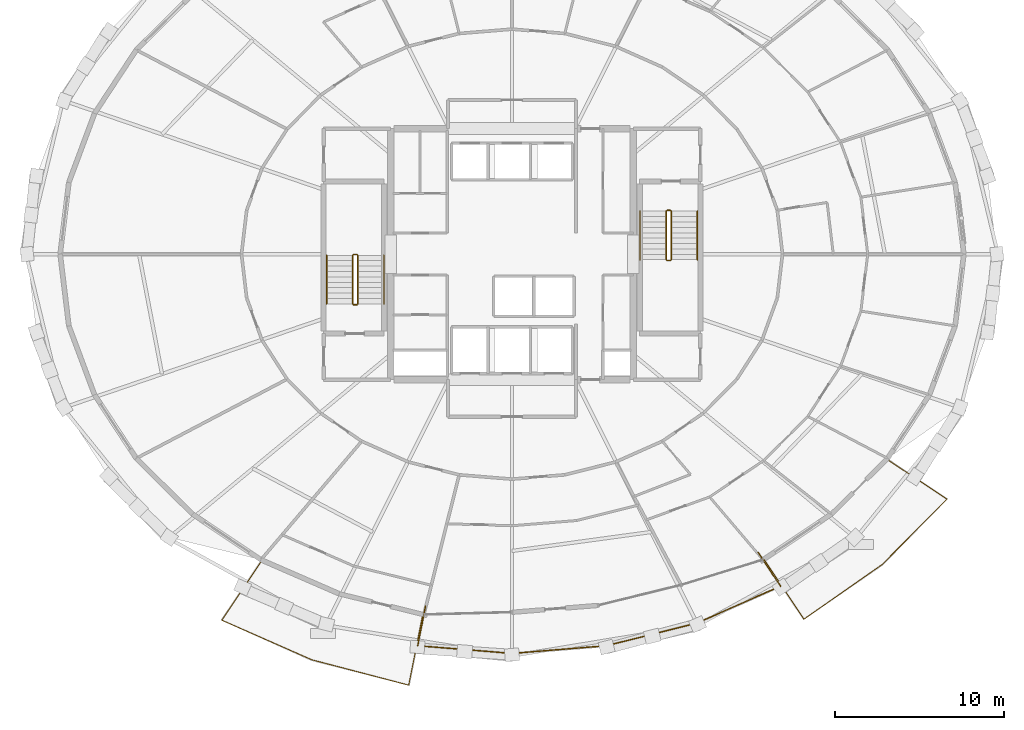
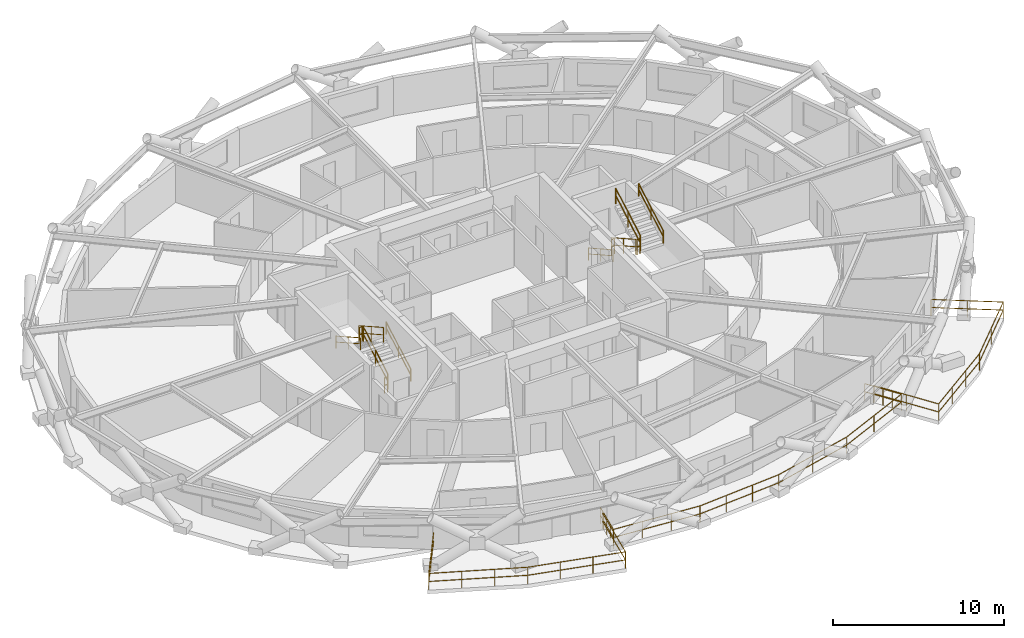
# One storey, part 13 of 14: 17 railings.
"""IFC4 building model written with IfcOpenShell, lengths in metres."""

import ifcopenshell
import ifcopenshell.guid

model = None  # the IFC model being written
_history = None  # IfcOwnerHistory: only IFC2X3 demands one
_inside = {}  # id of a spatial element -> (the spatial element, [elements in it])
_under = {}  # id of a project, library or spatial element -> (it, [spatial elements below it])
_declared = {}  # id of a project -> (the project, [libraries it declares])
_typed = {}  # id of a type object -> (the type object, [elements of that type])
_made_of = {}  # id of a material, layer set ... -> (it, [elements and type objects made of it])


def new_model(schema):
    """Start an empty IFC model of exactly this schema.

    Asked for "IFC4X3", IfcOpenShell would pick the latest addendum, in which some entities
    have other attributes; the version numbers below select the first issue.
    IFC2X3 requires an IfcOwnerHistory on every rooted entity: one is made here for all.
    """
    global model, _history
    if schema == "IFC4X3":
        model = ifcopenshell.file(schema_version=(4, 3, 0, 0))
    else:
        model = ifcopenshell.file(schema=schema)
    _inside.clear()
    _under.clear()
    _declared.clear()
    _typed.clear()
    _made_of.clear()
    _history = None
    if model.schema == "IFC2X3":
        org = make("IfcOrganization", Name="unknown")
        user = make(
            "IfcPersonAndOrganization",
            ThePerson=make("IfcPerson", FamilyName="unknown"),
            TheOrganization=org,
        )
        app = make(
            "IfcApplication",
            ApplicationDeveloper=org,
            Version="unknown",
            ApplicationFullName="unknown",
            ApplicationIdentifier="unknown",
        )
        _history = make(
            "IfcOwnerHistory",
            OwningUser=user,
            OwningApplication=app,
            ChangeAction="ADDED",
            CreationDate=0,
        )
    return model


def make(cls, **values):
    """One entity of the class cls with the attributes given. An attribute that is None is left unset."""
    return model.create_entity(
        cls, **{name: value for name, value in values.items() if value is not None}
    )


def rooted(cls, **values):
    """An entity with a GlobalId (a new one), such as an element, a storey or a relation."""
    return make(cls, GlobalId=ifcopenshell.guid.new(), OwnerHistory=_history, **values)


def si_unit(unit_type, name, prefix=None):
    """IfcSIUnit, for example si_unit("LENGTHUNIT", "METRE", prefix="MILLI")."""
    return make("IfcSIUnit", UnitType=unit_type, Prefix=prefix, Name=name)


def assignment(units):
    """IfcUnitAssignment: the units of a project."""
    return None if units is None else make("IfcUnitAssignment", Units=units)


def point(xyz):
    """IfcCartesianPoint."""
    return None if xyz is None else make("IfcCartesianPoint", Coordinates=xyz)


def direction(xyz):
    """IfcDirection."""
    return None if xyz is None else make("IfcDirection", DirectionRatios=xyz)


def frame(location, z_axis=None, x_axis=None):
    """IfcAxis2Placement3D, a coordinate frame: its origin and axes. An axis left out is left unset."""
    return make(
        "IfcAxis2Placement3D",
        Location=point(location),
        Axis=direction(z_axis),
        RefDirection=direction(x_axis),
    )


def frame_2d(location, x_axis=None):
    """IfcAxis2Placement2D, a coordinate frame in the plane: its origin and x axis."""
    return make(
        "IfcAxis2Placement2D", Location=point(location), RefDirection=direction(x_axis)
    )


def origin():
    """The frame at (0, 0, 0) with its axes left unset."""
    return frame((0.0, 0.0, 0.0))


def origin_2d():
    """The frame at (0, 0) in the plane with its x axis left unset."""
    return frame_2d((0.0, 0.0))


def place(relative_to, where):
    """IfcLocalPlacement: puts the frame where relative to a parent placement (None: the world)."""
    return make(
        "IfcLocalPlacement", PlacementRelTo=relative_to, RelativePlacement=where
    )


def context(
    kind, dimensions, precision=None, world=None, true_north=None, identifier=None
):
    """IfcGeometricRepresentationContext, for example the 3D "Model" context."""
    return make(
        "IfcGeometricRepresentationContext",
        ContextIdentifier=identifier,
        ContextType=kind,
        CoordinateSpaceDimension=dimensions,
        Precision=precision,
        WorldCoordinateSystem=world,
        TrueNorth=true_north,
    )


def subcontext(parent, identifier, kind, view, scale=None):
    """IfcGeometricRepresentationSubContext, for example "Body" below "Model"."""
    return make(
        "IfcGeometricRepresentationSubContext",
        ContextIdentifier=identifier,
        ContextType=kind,
        ParentContext=parent,
        TargetScale=scale,
        TargetView=view,
    )


def project(units=None, contexts=None):
    """IfcProject with its units and contexts."""
    return rooted(
        "IfcProject",
        Name="project",
        RepresentationContexts=contexts,
        UnitsInContext=assignment(units),
    )


def spatial(cls, under=None, at=None, **own):
    """A site, building, storey or space (cls), placed at a placement, below another one or the project."""
    s = rooted(cls, ObjectPlacement=at, **own)
    if under is not None:
        _under.setdefault(under.id(), (under, []))[1].append(s)
    return s


def profile(cls, at=None, kind="AREA", **sizes):
    """A parametric profile (cls). Its sizes go by their IFC names, for example OverallWidth=200.0."""
    return make(cls, ProfileType=kind, Position=at, **sizes)


def circle(**sizes):
    """IfcCircleProfileDef."""
    return profile("IfcCircleProfileDef", **sizes)


def extrude(swept, where, along, depth):
    """IfcExtrudedAreaSolid: the profile swept, set in the frame where, extruded along a direction by depth."""
    return make(
        "IfcExtrudedAreaSolid",
        SweptArea=swept,
        Position=where,
        ExtrudedDirection=direction(along),
        Depth=depth,
    )


def shape(context_of_items, identifier, shape_type, items):
    """IfcShapeRepresentation: the items that make up one representation, for example the "Body"."""
    return make(
        "IfcShapeRepresentation",
        ContextOfItems=context_of_items,
        RepresentationIdentifier=identifier,
        RepresentationType=shape_type,
        Items=items,
    )


def material(Name=None, Category=None):
    """IfcMaterial."""
    return make("IfcMaterial", Name=Name, Category=Category)


def made_of(thing, what):
    """Note that an element or type object is made of a material, layer set ...; save() writes the relation."""
    if what is not None:
        _made_of.setdefault(what.id(), (what, []))[1].append(thing)
    return thing


def type_object(cls, material=None, **own):
    """A type object (cls), such as IfcWallType, which elements share."""
    return made_of(rooted(cls, **own), material)


def element(
    cls,
    number,
    at=None,
    inside=None,
    cuts=None,
    type_object=None,
    material=None,
    context=None,
    identifier="Body",
    shape_type=None,
    held_by="IfcProductDefinitionShape",
    body=None,
    shapes=None,
    **own,
):
    """One element of the class cls, such as IfcWall. Its Tag is "e" and its number.

    at: its placement. inside: the storey or other place that contains it. cuts: it is an
    opening in that element (IfcRelVoidsElement). A single representation is given by context,
    identifier, shape_type and body (its items); several are given by shapes. held_by: the class
    of the entity that holds the representations. save() writes the other relations.
    """
    e = rooted(cls, Tag="e%d" % number, ObjectPlacement=at, **own)
    if body is not None:
        shapes = [shape(context, identifier, shape_type, body)]
    if shapes is not None:
        e.Representation = make(held_by, Representations=shapes)
    if inside is not None:
        _inside.setdefault(inside.id(), (inside, []))[1].append(e)
    if cuts is not None:
        rooted(
            "IfcRelVoidsElement", RelatingBuildingElement=cuts, RelatedOpeningElement=e
        )
    if type_object is not None:
        _typed.setdefault(type_object.id(), (type_object, []))[1].append(e)
    return made_of(e, material)


def aggregate(whole, parts):
    """IfcRelAggregates: a whole, such as a stair, and the parts it consists of."""
    return rooted("IfcRelAggregates", RelatingObject=whole, RelatedObjects=parts)


def save(model, path):
    """Write the relations noted so far, then the file.

    IfcRelAggregates (storeys below a building ...), IfcRelContainedInSpatialStructure (elements
    in a storey), IfcRelDefinesByType, IfcRelAssociatesMaterial and IfcRelDeclares: one each for
    every whole, place, type object, material and project.
    """
    for whole, parts in _under.values():
        aggregate(whole, parts)
    for where, things in _inside.values():
        rooted(
            "IfcRelContainedInSpatialStructure",
            RelatedElements=things,
            RelatingStructure=where,
        )
    for kind, things in _typed.values():
        rooted("IfcRelDefinesByType", RelatedObjects=things, RelatingType=kind)
    for what, things in _made_of.values():
        rooted("IfcRelAssociatesMaterial", RelatedObjects=things, RelatingMaterial=what)
    for by, libraries in _declared.values():
        rooted("IfcRelDeclares", RelatingContext=by, RelatedDefinitions=libraries)
    model.write(path)


model = new_model("IFC4")

# Units and contexts
model_context = context("Model", 3, precision=1e-05, world=origin(), true_north=direction((0.0, 1.0)))
body_context = subcontext(model_context, "Body", "Model", "MODEL_VIEW")
ifc_project = project(units=[si_unit("LENGTHUNIT", "METRE"), si_unit("AREAUNIT", "SQUARE_METRE"), si_unit("VOLUMEUNIT", "CUBIC_METRE"), si_unit("PLANEANGLEUNIT", "RADIAN"), si_unit("MASSUNIT", "GRAM", prefix="KILO")], contexts=[model_context])

# Site, building, storey
site_placement = place(None, origin())
site = spatial("IfcSite", under=ifc_project, at=site_placement, CompositionType="ELEMENT")
building_placement = place(site_placement, origin())
building = spatial("IfcBuilding", under=site, at=building_placement, Name="Veldorina Hangang Commons", CompositionType="ELEMENT")
storey_placement = place(building_placement, frame((0.0, 0.0, 62.800048828125)))
storey = spatial("IfcBuildingStorey", under=building, at=storey_placement, Name="L15", CompositionType="ELEMENT", Elevation=62.800048828125)

# Railings
ifc_material_1 = material(Name="Glass Laminated Safety Balustrade", Category="glass")
railing_type_1 = type_object("IfcRailingType", Name="RL-BAL-LOGGIA", PredefinedType="BALUSTRADE", material=ifc_material_1)
railing_1_placement = place(storey_placement, frame((26.869384765625, 3.119384765625, 0.0)))
element("IfcRailing", 1, at=railing_1_placement, inside=storey, type_object=railing_type_1, Name="L15 sky-garden loggia end balustrade A", PredefinedType="BALUSTRADE", context=body_context, shape_type="SweptSolid", body=[
    extrude(circle(Radius=0.02392578125, at=origin_2d()), frame((0.0, 0.0, 1.17578125), z_axis=(-0.193063600641, -0.981186244353, 0.0), x_axis=(0.981186244353, -0.193063600641, 0.0)), (0.0, 0.0, 1.0), 2.400146484375),
    extrude(circle(Radius=0.02392578125, at=origin_2d()), frame((0.0, 0.0, 0.60009765625), z_axis=(-0.193063600641, -0.981186244353, 0.0), x_axis=(0.981186244353, -0.193063600641, 0.0)), (0.0, 0.0, 1.0), 2.400146484375),
    extrude(circle(Radius=0.02099609375, at=origin_2d()), origin(), (0.0, 0.0, 1.0), 1.15185546875),
    extrude(circle(Radius=0.02099609375, at=origin_2d()), frame((-0.11572265625, -0.5888671875, 0.0)), (0.0, 0.0, 1.0), 1.15185546875),
    extrude(circle(Radius=0.02099609375, at=origin_2d()), frame((-0.231689453125, -1.177490234375, 0.0)), (0.0, 0.0, 1.0), 1.15185546875),
    extrude(circle(Radius=0.02099609375, at=origin_2d()), frame((-0.34765625, -1.76611328125, 0.0)), (0.0, 0.0, 1.0), 1.15185546875),
    extrude(circle(Radius=0.02099609375, at=origin_2d()), frame((-0.46337890625, -2.35498046875, 0.0)), (0.0, 0.0, 1.0), 1.15185546875),
])
railing_2_placement = place(storey_placement, frame((46.609375, 6.30029296875, 0.0)))
element("IfcRailing", 2, at=railing_2_placement, inside=storey, type_object=railing_type_1, Name="L15 sky-garden loggia end balustrade B", PredefinedType="BALUSTRADE", context=body_context, shape_type="SweptSolid", body=[
    extrude(circle(Radius=0.02392578125, at=origin_2d()), frame((0.0, 0.0, 1.17578125), z_axis=(0.551645331019, -0.834078790502, 0.0), x_axis=(0.834078790502, 0.551645331019, 0.0)), (0.0, 0.0, 1.0), 2.400390625),
    extrude(circle(Radius=0.02392578125, at=origin_2d()), frame((0.0, 0.0, 0.60009765625), z_axis=(0.551645331019, -0.834078790502, 0.0), x_axis=(0.834078790502, 0.551645331019, 0.0)), (0.0, 0.0, 1.0), 2.400390625),
    extrude(circle(Radius=0.02099609375, at=origin_2d()), origin(), (0.0, 0.0, 1.0), 1.15185546875),
    extrude(circle(Radius=0.02099609375, at=origin_2d()), frame((0.3310546875, -0.50048828125, 0.0)), (0.0, 0.0, 1.0), 1.15185546875),
    extrude(circle(Radius=0.02099609375, at=origin_2d()), frame((0.662109375, -1.0009765625, 0.0)), (0.0, 0.0, 1.0), 1.15185546875),
    extrude(circle(Radius=0.02099609375, at=origin_2d()), frame((0.9931640625, -1.501708984375, 0.0)), (0.0, 0.0, 1.0), 1.15185546875),
    extrude(circle(Radius=0.02099609375, at=origin_2d()), frame((1.32421875, -2.002197265625, 0.0)), (0.0, 0.0, 1.0), 1.15185546875),
])
railing_3_placement = place(storey_placement, frame((26.406005859375, 0.764404296875, 0.0)))
element("IfcRailing", 3, at=railing_3_placement, inside=storey, type_object=railing_type_1, Name="L15 sky-garden loggia outer balustrade", PredefinedType="BALUSTRADE", context=body_context, shape_type="SweptSolid", body=[
    extrude(circle(Radius=0.02392578125, at=origin_2d()), frame((0.0, 0.0, 1.17578125), z_axis=(0.996714352808, -0.080996906775, 0.0), x_axis=(0.080996906775, 0.996714352808, 0.0)), (0.0, 0.0, 1.0), 5.612548828125),
    extrude(circle(Radius=0.02392578125, at=origin_2d()), frame((0.0, 0.0, 0.60009765625), z_axis=(0.996714352808, -0.080996906775, 0.0), x_axis=(0.080996906775, 0.996714352808, 0.0)), (0.0, 0.0, 1.0), 5.612548828125),
    extrude(circle(Radius=0.02392578125, at=origin_2d()), frame((5.593994140625, -0.45458984375, 1.17578125), z_axis=(0.996714352808, 0.080996906775, 0.0), x_axis=(-0.080996906775, 0.996714352808, 0.0)), (0.0, 0.0, 1.0), 5.612548828125),
    extrude(circle(Radius=0.02392578125, at=origin_2d()), frame((5.593994140625, -0.45458984375, 0.60009765625), z_axis=(0.996714352808, 0.080996906775, 0.0), x_axis=(-0.080996906775, 0.996714352808, 0.0)), (0.0, 0.0, 1.0), 5.612548828125),
    extrude(circle(Radius=0.02392578125, at=origin_2d()), frame((11.18798828125, 0.0, 1.17578125), z_axis=(0.97008031885, 0.242784214851, 0.0), x_axis=(-0.242784214851, 0.97008031885, 0.0)), (0.0, 0.0, 1.0), 5.5458984375),
    extrude(circle(Radius=0.02392578125, at=origin_2d()), frame((11.18798828125, 0.0, 0.60009765625), z_axis=(0.97008031885, 0.242784214851, 0.0), x_axis=(-0.242784214851, 0.97008031885, 0.0)), (0.0, 0.0, 1.0), 5.5458984375),
    extrude(circle(Radius=0.02392578125, at=origin_2d()), frame((16.56787109375, 1.346435546875, 1.17578125), z_axis=(0.914976007395, 0.403508247613, 0.0), x_axis=(-0.403508247613, 0.914976007395, 0.0)), (0.0, 0.0, 1.0), 5.420654296875),
    extrude(circle(Radius=0.02392578125, at=origin_2d()), frame((16.56787109375, 1.346435546875, 0.60009765625), z_axis=(0.914976007395, 0.403508247613, 0.0), x_axis=(-0.403508247613, 0.914976007395, 0.0)), (0.0, 0.0, 1.0), 5.420654296875),
    extrude(circle(Radius=0.02099609375, at=origin_2d()), origin(), (0.0, 0.0, 1.0), 1.15185546875),
    extrude(circle(Radius=0.02099609375, at=origin_2d()), frame((1.86474609375, -0.151611328125, 0.0)), (0.0, 0.0, 1.0), 1.15185546875),
    extrude(circle(Radius=0.02099609375, at=origin_2d()), frame((3.729248046875, -0.302978515625, 0.0)), (0.0, 0.0, 1.0), 1.15185546875),
    extrude(circle(Radius=0.02099609375, at=origin_2d()), frame((5.593994140625, -0.45458984375, 0.0)), (0.0, 0.0, 1.0), 1.15185546875),
    extrude(circle(Radius=0.02099609375, at=origin_2d()), frame((7.458740234375, -0.302978515625, 0.0)), (0.0, 0.0, 1.0), 1.15185546875),
    extrude(circle(Radius=0.02099609375, at=origin_2d()), frame((9.3232421875, -0.151611328125, 0.0)), (0.0, 0.0, 1.0), 1.15185546875),
    extrude(circle(Radius=0.02099609375, at=origin_2d()), frame((11.18798828125, 0.0, 0.0)), (0.0, 0.0, 1.0), 1.15185546875),
    extrude(circle(Radius=0.02099609375, at=origin_2d()), frame((13.8779296875, 0.67333984375, 0.0)), (0.0, 0.0, 1.0), 1.15185546875),
    extrude(circle(Radius=0.02099609375, at=origin_2d()), frame((16.56787109375, 1.346435546875, 0.0)), (0.0, 0.0, 1.0), 1.15185546875),
    extrude(circle(Radius=0.02099609375, at=origin_2d()), frame((19.0478515625, 2.43994140625, 0.0)), (0.0, 0.0, 1.0), 1.15185546875),
    extrude(circle(Radius=0.02099609375, at=origin_2d()), frame((21.527587890625, 3.53369140625, 0.0)), (0.0, 0.0, 1.0), 1.15185546875),
])
railing_4_placement = place(storey_placement, frame((17.14501953125, 5.801025390625, 0.0)))
element("IfcRailing", 4, at=railing_4_placement, inside=storey, type_object=railing_type_1, Name="L15 planted tree balcony 1 balustrade", PredefinedType="BALUSTRADE", context=body_context, shape_type="SweptSolid", body=[
    extrude(circle(Radius=0.02392578125, at=origin_2d()), frame((0.0, 0.0, 1.17578125), z_axis=(-0.557526578286, -0.830159089877, 0.0), x_axis=(0.830159089877, -0.557526578286, 0.0)), (0.0, 0.0, 1.0), 4.240966796875),
    extrude(circle(Radius=0.02392578125, at=origin_2d()), frame((0.0, 0.0, 0.60009765625), z_axis=(-0.557526578286, -0.830159089877, 0.0), x_axis=(0.830159089877, -0.557526578286, 0.0)), (0.0, 0.0, 1.0), 4.240966796875),
    extrude(circle(Radius=0.02392578125, at=origin_2d()), frame((-2.364501953125, -3.520751953125, 1.17578125), z_axis=(0.915379224281, -0.402592692128, 0.0), x_axis=(0.402592692128, 0.915379224281, 0.0)), (0.0, 0.0, 1.0), 5.831298828125),
    extrude(circle(Radius=0.02392578125, at=origin_2d()), frame((-2.364501953125, -3.520751953125, 0.60009765625), z_axis=(0.915379224281, -0.402592692128, 0.0), x_axis=(0.402592692128, 0.915379224281, 0.0)), (0.0, 0.0, 1.0), 5.831298828125),
    extrude(circle(Radius=0.02392578125, at=origin_2d()), frame((2.973388671875, -5.868408203125, 1.17578125), z_axis=(0.967338208977, -0.253489229461, 0.0), x_axis=(0.253489229461, 0.967338208977, 0.0)), (0.0, 0.0, 1.0), 5.94921875),
    extrude(circle(Radius=0.02392578125, at=origin_2d()), frame((2.973388671875, -5.868408203125, 0.60009765625), z_axis=(0.967338208977, -0.253489229461, 0.0), x_axis=(0.253489229461, 0.967338208977, 0.0)), (0.0, 0.0, 1.0), 5.94921875),
    extrude(circle(Radius=0.02392578125, at=origin_2d()), frame((8.728271484375, -7.37646484375, 1.17578125), z_axis=(0.194000573451, 0.981001415647, 0.0), x_axis=(-0.981001415647, 0.194000573451, 0.0)), (0.0, 0.0, 1.0), 4.23974609375),
    extrude(circle(Radius=0.02392578125, at=origin_2d()), frame((8.728271484375, -7.37646484375, 0.60009765625), z_axis=(0.194000573451, 0.981001415647, 0.0), x_axis=(-0.981001415647, 0.194000573451, 0.0)), (0.0, 0.0, 1.0), 4.23974609375),
    extrude(circle(Radius=0.02099609375, at=origin_2d()), origin(), (0.0, 0.0, 1.0), 1.15185546875),
    extrude(circle(Radius=0.02099609375, at=origin_2d()), frame((-1.18212890625, -1.76025390625, 0.0)), (0.0, 0.0, 1.0), 1.15185546875),
    extrude(circle(Radius=0.02099609375, at=origin_2d()), frame((-2.364501953125, -3.520751953125, 0.0)), (0.0, 0.0, 1.0), 1.15185546875),
    extrude(circle(Radius=0.02099609375, at=origin_2d()), frame((-0.585205078125, -4.30322265625, 0.0)), (0.0, 0.0, 1.0), 1.15185546875),
    extrude(circle(Radius=0.02099609375, at=origin_2d()), frame((1.194091796875, -5.0859375, 0.0)), (0.0, 0.0, 1.0), 1.15185546875),
    extrude(circle(Radius=0.02099609375, at=origin_2d()), frame((2.973388671875, -5.868408203125, 0.0)), (0.0, 0.0, 1.0), 1.15185546875),
    extrude(circle(Radius=0.02099609375, at=origin_2d()), frame((4.8916015625, -6.37109375, 0.0)), (0.0, 0.0, 1.0), 1.15185546875),
    extrude(circle(Radius=0.02099609375, at=origin_2d()), frame((6.81005859375, -6.873779296875, 0.0)), (0.0, 0.0, 1.0), 1.15185546875),
    extrude(circle(Radius=0.02099609375, at=origin_2d()), frame((8.728271484375, -7.37646484375, 0.0)), (0.0, 0.0, 1.0), 1.15185546875),
    extrude(circle(Radius=0.02099609375, at=origin_2d()), frame((9.1396484375, -5.296875, 0.0)), (0.0, 0.0, 1.0), 1.15185546875),
    extrude(circle(Radius=0.02099609375, at=origin_2d()), frame((9.55078125, -3.21728515625, 0.0)), (0.0, 0.0, 1.0), 1.15185546875),
])
railing_5_placement = place(storey_placement, frame((46.9736328125, 5.866943359375, 0.0)))
element("IfcRailing", 5, at=railing_5_placement, inside=storey, type_object=railing_type_1, Name="L15 planted tree balcony 2 balustrade", PredefinedType="BALUSTRADE", context=body_context, shape_type="SweptSolid", body=[
    extrude(circle(Radius=0.02392578125, at=origin_2d()), frame((0.0, 0.0, 1.17578125), z_axis=(0.554952818838, -0.831881823857, 0.0), x_axis=(0.831881823857, 0.554952818838, 0.0)), (0.0, 0.0, 1.0), 4.237060546875),
    extrude(circle(Radius=0.02392578125, at=origin_2d()), frame((0.0, 0.0, 0.60009765625), z_axis=(0.554952818838, -0.831881823857, 0.0), x_axis=(0.831881823857, 0.554952818838, 0.0)), (0.0, 0.0, 1.0), 4.237060546875),
    extrude(circle(Radius=0.02392578125, at=origin_2d()), frame((2.351318359375, -3.524658203125, 1.17578125), z_axis=(0.819587060714, 0.572954666541, 0.0), x_axis=(-0.572954666541, 0.819587060714, 0.0)), (0.0, 0.0, 1.0), 5.6494140625),
    extrude(circle(Radius=0.02392578125, at=origin_2d()), frame((2.351318359375, -3.524658203125, 0.60009765625), z_axis=(0.819587060714, 0.572954666541, 0.0), x_axis=(-0.572954666541, 0.819587060714, 0.0)), (0.0, 0.0, 1.0), 5.6494140625),
    extrude(circle(Radius=0.02392578125, at=origin_2d()), frame((6.9814453125, -0.287841796875, 1.17578125), z_axis=(0.704492073847, 0.709711855535, 0.0), x_axis=(-0.709711855535, 0.704492073847, 0.0)), (0.0, 0.0, 1.0), 5.472412109375),
    extrude(circle(Radius=0.02392578125, at=origin_2d()), frame((6.9814453125, -0.287841796875, 0.60009765625), z_axis=(0.704492073847, 0.709711855535, 0.0), x_axis=(-0.709711855535, 0.704492073847, 0.0)), (0.0, 0.0, 1.0), 5.472412109375),
    extrude(circle(Radius=0.02392578125, at=origin_2d()), frame((10.836669921875, 3.595947265625, 1.17578125), z_axis=(-0.832988398789, 0.5532904549, 0.0), x_axis=(-0.5532904549, -0.832988398789, 0.0)), (0.0, 0.0, 1.0), 4.23876953125),
    extrude(circle(Radius=0.02392578125, at=origin_2d()), frame((10.836669921875, 3.595947265625, 0.60009765625), z_axis=(-0.832988398789, 0.5532904549, 0.0), x_axis=(-0.5532904549, -0.832988398789, 0.0)), (0.0, 0.0, 1.0), 4.23876953125),
    extrude(circle(Radius=0.02099609375, at=origin_2d()), origin(), (0.0, 0.0, 1.0), 1.15185546875),
    extrude(circle(Radius=0.02099609375, at=origin_2d()), frame((1.17578125, -1.76220703125, 0.0)), (0.0, 0.0, 1.0), 1.15185546875),
    extrude(circle(Radius=0.02099609375, at=origin_2d()), frame((2.351318359375, -3.524658203125, 0.0)), (0.0, 0.0, 1.0), 1.15185546875),
    extrude(circle(Radius=0.02099609375, at=origin_2d()), frame((3.894775390625, -2.44580078125, 0.0)), (0.0, 0.0, 1.0), 1.15185546875),
    extrude(circle(Radius=0.02099609375, at=origin_2d()), frame((5.43798828125, -1.36669921875, 0.0)), (0.0, 0.0, 1.0), 1.15185546875),
    extrude(circle(Radius=0.02099609375, at=origin_2d()), frame((6.9814453125, -0.287841796875, 0.0)), (0.0, 0.0, 1.0), 1.15185546875),
    extrude(circle(Radius=0.02099609375, at=origin_2d()), frame((8.9091796875, 1.654052734375, 0.0)), (0.0, 0.0, 1.0), 1.15185546875),
    extrude(circle(Radius=0.02099609375, at=origin_2d()), frame((10.836669921875, 3.595947265625, 0.0)), (0.0, 0.0, 1.0), 1.15185546875),
    extrude(circle(Radius=0.02099609375, at=origin_2d()), frame((9.0712890625, 4.7685546875, 0.0)), (0.0, 0.0, 1.0), 1.15185546875),
    extrude(circle(Radius=0.02099609375, at=origin_2d()), frame((7.305908203125, 5.941162109375, 0.0)), (0.0, 0.0, 1.0), 1.15185546875),
])
ifc_material_2 = material(Name="Steel Painted Balustrade", Category="steel")
railing_type_2 = type_object("IfcRailingType", Name="RL-GRD-STAIR", PredefinedType="GUARDRAIL", material=ifc_material_2)
railing_6_placement = place(storey_placement, frame((22.85009765625, 21.050048828125, 0.179931640625)))
element("IfcRailing", 6, at=railing_6_placement, inside=storey, type_object=railing_type_2, Name="L15 ST-1 stair guard 1", PredefinedType="GUARDRAIL", context=body_context, shape_type="SweptSolid", body=[
    extrude(circle(Radius=0.02392578125, at=origin_2d()), frame((0.0, 0.0, 1.076171875), z_axis=(0.0, 0.87155185771, 0.490303333991), x_axis=(-1.0, 0.0, 0.0)), (0.0, 0.0, 1.0), 3.30419921875),
    extrude(circle(Radius=0.02392578125, at=origin_2d()), frame((0.0, 0.0, 0.550048828125), z_axis=(0.0, 0.87155185771, 0.490303333991), x_axis=(-1.0, 0.0, 0.0)), (0.0, 0.0, 1.0), 3.30419921875),
    extrude(circle(Radius=0.02099609375, at=origin_2d()), origin(), (0.0, 0.0, 1.0), 1.052001953125),
    extrude(circle(Radius=0.02099609375, at=origin_2d()), frame((0.0, 1.43994140625, 0.81005859375)), (0.0, 0.0, 1.0), 1.052001953125),
    extrude(circle(Radius=0.02099609375, at=origin_2d()), frame((0.0, 2.8798828125, 1.6201171875)), (0.0, 0.0, 1.0), 1.052001953125),
])
railing_7_placement = place(storey_placement, frame((22.800048828125, 23.97998046875, 1.800048828125)))
element("IfcRailing", 7, at=railing_7_placement, inside=storey, type_object=railing_type_2, Name="L15 ST-1 stair guard 2", PredefinedType="GUARDRAIL", context=body_context, shape_type="SweptSolid", body=[
    extrude(circle(Radius=0.02392578125, at=origin_2d()), frame((0.0, 0.0, 1.076171875), z_axis=(-1.0, 0.0, 0.0), x_axis=(0.0, -1.0, 0.0)), (0.0, 0.0, 1.0), 0.199951171875),
    extrude(circle(Radius=0.02392578125, at=origin_2d()), frame((0.0, 0.0, 0.550048828125), z_axis=(-1.0, 0.0, 0.0), x_axis=(0.0, -1.0, 0.0)), (0.0, 0.0, 1.0), 0.199951171875),
    extrude(circle(Radius=0.02099609375, at=origin_2d()), origin(), (0.0, 0.0, 1.0), 1.052001953125),
    extrude(circle(Radius=0.02099609375, at=origin_2d()), frame((-0.199951171875, 0.0, 0.0)), (0.0, 0.0, 1.0), 1.052001953125),
])
railing_8_placement = place(storey_placement, frame((22.550048828125, 23.929931640625, 1.97998046875)))
element("IfcRailing", 8, at=railing_8_placement, inside=storey, type_object=railing_type_2, Name="L15 ST-1 stair guard 3", PredefinedType="GUARDRAIL", context=body_context, shape_type="SweptSolid", body=[
    extrude(circle(Radius=0.02392578125, at=origin_2d()), frame((0.0, 0.0, 1.076171875), z_axis=(0.0, -0.871583430097, 0.490247207417), x_axis=(1.0, 0.0, 0.0)), (0.0, 0.0, 1.0), 3.30419921875),
    extrude(circle(Radius=0.02392578125, at=origin_2d()), frame((0.0, 0.0, 0.550048828125), z_axis=(0.0, -0.871583430097, 0.490247207417), x_axis=(1.0, 0.0, 0.0)), (0.0, 0.0, 1.0), 3.30419921875),
    extrude(circle(Radius=0.02099609375, at=origin_2d()), origin(), (0.0, 0.0, 1.0), 1.052001953125),
    extrude(circle(Radius=0.02099609375, at=origin_2d()), frame((0.0, -1.43994140625, 0.81005859375)), (0.0, 0.0, 1.0), 1.052001953125),
    extrude(circle(Radius=0.02099609375, at=origin_2d()), frame((0.0, -2.8798828125, 1.619873046875)), (0.0, 0.0, 1.0), 1.052001953125),
])
railing_9_placement = place(storey_placement, frame((22.800048828125, 21.0, 0.0)))
element("IfcRailing", 9, at=railing_9_placement, inside=storey, type_object=railing_type_2, Name="L15 ST-1 stair guard 4", PredefinedType="GUARDRAIL", context=body_context, shape_type="SweptSolid", body=[
    extrude(circle(Radius=0.02392578125, at=origin_2d()), frame((0.0, 0.0, 1.076171875), z_axis=(-1.0, 0.0, 0.0), x_axis=(0.0, -1.0, 0.0)), (0.0, 0.0, 1.0), 0.199951171875),
    extrude(circle(Radius=0.02392578125, at=origin_2d()), frame((0.0, 0.0, 0.550048828125), z_axis=(-1.0, 0.0, 0.0), x_axis=(0.0, -1.0, 0.0)), (0.0, 0.0, 1.0), 0.199951171875),
    extrude(circle(Radius=0.02099609375, at=origin_2d()), origin(), (0.0, 0.0, 1.0), 1.052001953125),
    extrude(circle(Radius=0.02099609375, at=origin_2d()), frame((-0.199951171875, 0.0, 0.0)), (0.0, 0.0, 1.0), 1.052001953125),
])
railing_10_placement = place(storey_placement, frame((41.14990234375, 26.550048828125, 0.179931640625)))
element("IfcRailing", 10, at=railing_10_placement, inside=storey, type_object=railing_type_2, Name="L15 ST-2 stair guard 1", PredefinedType="GUARDRAIL", context=body_context, shape_type="SweptSolid", body=[
    extrude(circle(Radius=0.02392578125, at=origin_2d()), frame((0.0, 0.0, 1.076171875), z_axis=(0.0, -0.871569617843, 0.490271762652), x_axis=(1.0, 0.0, 0.0)), (0.0, 0.0, 1.0), 3.304443359375),
    extrude(circle(Radius=0.02392578125, at=origin_2d()), frame((0.0, 0.0, 0.550048828125), z_axis=(0.0, -0.871569617843, 0.490271762652), x_axis=(1.0, 0.0, 0.0)), (0.0, 0.0, 1.0), 3.304443359375),
    extrude(circle(Radius=0.02099609375, at=origin_2d()), origin(), (0.0, 0.0, 1.0), 1.052001953125),
    extrude(circle(Radius=0.02099609375, at=origin_2d()), frame((0.0, -1.43994140625, 0.81005859375)), (0.0, 0.0, 1.0), 1.052001953125),
    extrude(circle(Radius=0.02099609375, at=origin_2d()), frame((0.0, -2.880126953125, 1.6201171875)), (0.0, 0.0, 1.0), 1.052001953125),
])
railing_11_placement = place(storey_placement, frame((41.199951171875, 23.6201171875, 1.800048828125)))
element("IfcRailing", 11, at=railing_11_placement, inside=storey, type_object=railing_type_2, Name="L15 ST-2 stair guard 2", PredefinedType="GUARDRAIL", context=body_context, shape_type="SweptSolid", body=[
    extrude(circle(Radius=0.02392578125, at=origin_2d()), frame((0.0, 0.0, 1.076171875), z_axis=(1.0, 0.0, 0.0), x_axis=(0.0, 1.0, 0.0)), (0.0, 0.0, 1.0), 0.199951171875),
    extrude(circle(Radius=0.02392578125, at=origin_2d()), frame((0.0, 0.0, 0.550048828125), z_axis=(1.0, 0.0, 0.0), x_axis=(0.0, 1.0, 0.0)), (0.0, 0.0, 1.0), 0.199951171875),
    extrude(circle(Radius=0.02099609375, at=origin_2d()), origin(), (0.0, 0.0, 1.0), 1.052001953125),
    extrude(circle(Radius=0.02099609375, at=origin_2d()), frame((0.199951171875, 0.0, 0.0)), (0.0, 0.0, 1.0), 1.052001953125),
])
railing_12_placement = place(storey_placement, frame((41.449951171875, 23.669921875, 1.97998046875)))
element("IfcRailing", 12, at=railing_12_placement, inside=storey, type_object=railing_type_2, Name="L15 ST-2 stair guard 3", PredefinedType="GUARDRAIL", context=body_context, shape_type="SweptSolid", body=[
    extrude(circle(Radius=0.02392578125, at=origin_2d()), frame((0.0, 0.0, 1.076171875), z_axis=(0.0, 0.871601186807, 0.490215637405), x_axis=(-1.0, 0.0, 0.0)), (0.0, 0.0, 1.0), 3.304443359375),
    extrude(circle(Radius=0.02392578125, at=origin_2d()), frame((0.0, 0.0, 0.550048828125), z_axis=(0.0, 0.871601186807, 0.490215637405), x_axis=(-1.0, 0.0, 0.0)), (0.0, 0.0, 1.0), 3.304443359375),
    extrude(circle(Radius=0.02099609375, at=origin_2d()), origin(), (0.0, 0.0, 1.0), 1.052001953125),
    extrude(circle(Radius=0.02099609375, at=origin_2d()), frame((0.0, 1.43994140625, 0.81005859375)), (0.0, 0.0, 1.0), 1.052001953125),
    extrude(circle(Radius=0.02099609375, at=origin_2d()), frame((0.0, 2.880126953125, 1.619873046875)), (0.0, 0.0, 1.0), 1.052001953125),
])
railing_13_placement = place(storey_placement, frame((41.199951171875, 26.60009765625, 0.0)))
element("IfcRailing", 13, at=railing_13_placement, inside=storey, type_object=railing_type_2, Name="L15 ST-2 stair guard 4", PredefinedType="GUARDRAIL", context=body_context, shape_type="SweptSolid", body=[
    extrude(circle(Radius=0.02392578125, at=origin_2d()), frame((0.0, 0.0, 1.076171875), z_axis=(1.0, 0.0, 0.0), x_axis=(0.0, 1.0, 0.0)), (0.0, 0.0, 1.0), 0.199951171875),
    extrude(circle(Radius=0.02392578125, at=origin_2d()), frame((0.0, 0.0, 0.550048828125), z_axis=(1.0, 0.0, 0.0), x_axis=(0.0, 1.0, 0.0)), (0.0, 0.0, 1.0), 0.199951171875),
    extrude(circle(Radius=0.02099609375, at=origin_2d()), origin(), (0.0, 0.0, 1.0), 1.052001953125),
    extrude(circle(Radius=0.02099609375, at=origin_2d()), frame((0.199951171875, 0.0, 0.0)), (0.0, 0.0, 1.0), 1.052001953125),
])
ifc_material_3 = material(Name="Stainless Steel Brushed 316", Category="steel")
railing_type_3 = type_object("IfcRailingType", Name="RL-HND-STAIR", PredefinedType="HANDRAIL", material=ifc_material_3)
railing_14_placement = place(storey_placement, frame((24.39990234375, 21.050048828125, 0.179931640625)))
element("IfcRailing", 14, at=railing_14_placement, inside=storey, type_object=railing_type_3, Name="L15 ST-1 stair handrail 1", PredefinedType="HANDRAIL", context=body_context, shape_type="SweptSolid", body=[
    extrude(circle(Radius=0.02392578125, at=origin_2d()), frame((0.0, 0.0, 0.8759765625), z_axis=(0.0, 0.87155185771, 0.490303333991), x_axis=(-1.0, 0.0, 0.0)), (0.0, 0.0, 1.0), 3.30419921875),
    extrude(circle(Radius=0.02392578125, at=origin_2d()), frame((0.0, 0.0, 0.449951171875), z_axis=(0.0, 0.87155185771, 0.490303333991), x_axis=(-1.0, 0.0, 0.0)), (0.0, 0.0, 1.0), 3.30419921875),
    extrude(circle(Radius=0.02099609375, at=origin_2d()), origin(), (0.0, 0.0, 1.0), 0.851806640625),
    extrude(circle(Radius=0.02099609375, at=origin_2d()), frame((0.0, 1.43994140625, 0.81005859375)), (0.0, 0.0, 1.0), 0.851806640625),
    extrude(circle(Radius=0.02099609375, at=origin_2d()), frame((0.0, 2.8798828125, 1.6201171875)), (0.0, 0.0, 1.0), 0.851806640625),
])
railing_15_placement = place(storey_placement, frame((21.0, 23.929931640625, 1.97998046875)))
element("IfcRailing", 15, at=railing_15_placement, inside=storey, type_object=railing_type_3, Name="L15 ST-1 stair handrail 2", PredefinedType="HANDRAIL", context=body_context, shape_type="SweptSolid", body=[
    extrude(circle(Radius=0.02392578125, at=origin_2d()), frame((0.0, 0.0, 0.8759765625), z_axis=(0.0, -0.871583430097, 0.490247207417), x_axis=(1.0, 0.0, 0.0)), (0.0, 0.0, 1.0), 3.30419921875),
    extrude(circle(Radius=0.02392578125, at=origin_2d()), frame((0.0, 0.0, 0.449951171875), z_axis=(0.0, -0.871583430097, 0.490247207417), x_axis=(1.0, 0.0, 0.0)), (0.0, 0.0, 1.0), 3.30419921875),
    extrude(circle(Radius=0.02099609375, at=origin_2d()), origin(), (0.0, 0.0, 1.0), 0.851806640625),
    extrude(circle(Radius=0.02099609375, at=origin_2d()), frame((0.0, -1.43994140625, 0.81005859375)), (0.0, 0.0, 1.0), 0.851806640625),
    extrude(circle(Radius=0.02099609375, at=origin_2d()), frame((0.0, -2.8798828125, 1.619873046875)), (0.0, 0.0, 1.0), 0.851806640625),
])
railing_16_placement = place(storey_placement, frame((39.60009765625, 26.550048828125, 0.179931640625)))
element("IfcRailing", 16, at=railing_16_placement, inside=storey, type_object=railing_type_3, Name="L15 ST-2 stair handrail 1", PredefinedType="HANDRAIL", context=body_context, shape_type="SweptSolid", body=[
    extrude(circle(Radius=0.02392578125, at=origin_2d()), frame((0.0, 0.0, 0.8759765625), z_axis=(0.0, -0.871569617843, 0.490271762652), x_axis=(1.0, 0.0, 0.0)), (0.0, 0.0, 1.0), 3.304443359375),
    extrude(circle(Radius=0.02392578125, at=origin_2d()), frame((0.0, 0.0, 0.449951171875), z_axis=(0.0, -0.871569617843, 0.490271762652), x_axis=(1.0, 0.0, 0.0)), (0.0, 0.0, 1.0), 3.304443359375),
    extrude(circle(Radius=0.02099609375, at=origin_2d()), origin(), (0.0, 0.0, 1.0), 0.851806640625),
    extrude(circle(Radius=0.02099609375, at=origin_2d()), frame((0.0, -1.43994140625, 0.81005859375)), (0.0, 0.0, 1.0), 0.851806640625),
    extrude(circle(Radius=0.02099609375, at=origin_2d()), frame((0.0, -2.880126953125, 1.6201171875)), (0.0, 0.0, 1.0), 0.851806640625),
])
railing_17_placement = place(storey_placement, frame((43.0, 23.669921875, 1.97998046875)))
element("IfcRailing", 17, at=railing_17_placement, inside=storey, type_object=railing_type_3, Name="L15 ST-2 stair handrail 2", PredefinedType="HANDRAIL", context=body_context, shape_type="SweptSolid", body=[
    extrude(circle(Radius=0.02392578125, at=origin_2d()), frame((0.0, 0.0, 0.8759765625), z_axis=(0.0, 0.871601186807, 0.490215637405), x_axis=(-1.0, 0.0, 0.0)), (0.0, 0.0, 1.0), 3.304443359375),
    extrude(circle(Radius=0.02392578125, at=origin_2d()), frame((0.0, 0.0, 0.449951171875), z_axis=(0.0, 0.871601186807, 0.490215637405), x_axis=(-1.0, 0.0, 0.0)), (0.0, 0.0, 1.0), 3.304443359375),
    extrude(circle(Radius=0.02099609375, at=origin_2d()), origin(), (0.0, 0.0, 1.0), 0.851806640625),
    extrude(circle(Radius=0.02099609375, at=origin_2d()), frame((0.0, 1.43994140625, 0.81005859375)), (0.0, 0.0, 1.0), 0.851806640625),
    extrude(circle(Radius=0.02099609375, at=origin_2d()), frame((0.0, 2.880126953125, 1.619873046875)), (0.0, 0.0, 1.0), 0.851806640625),
])

save(model, "model.ifc")
